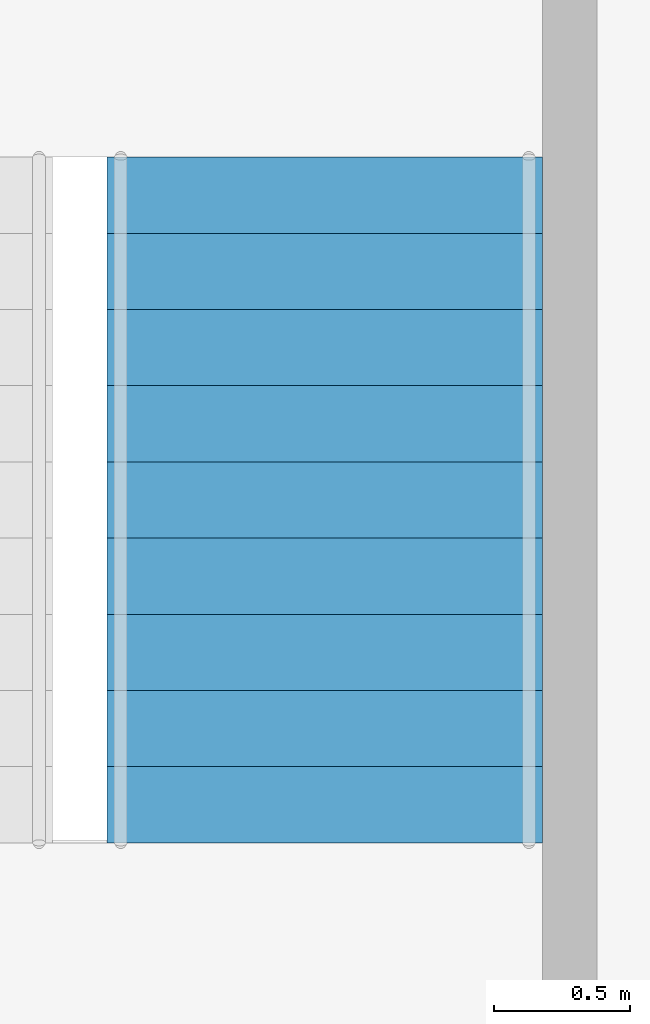
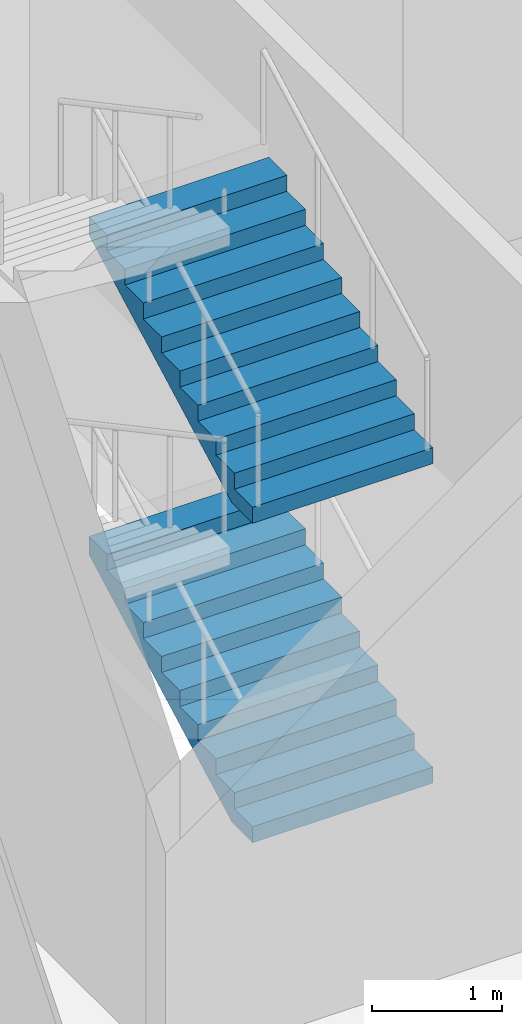
# One storey, part 79 of 100: 2 stair flights, 1 element without a shape of its own.
"""IFC4 building model written with IfcOpenShell, lengths in metres."""

from ifc_helpers import new_model, si_unit, direction, frame, origin, place, context, subcontext, project, spatial, triangles, material, type_object, element, aggregate, save


model = new_model("IFC4")

# Units and contexts
model_context = context("Model", 3, precision=1e-05, world=origin(), true_north=direction((0.0, 1.0)))
body_context = subcontext(model_context, "Body", "Model", "MODEL_VIEW")
ifc_project = project(units=[si_unit("LENGTHUNIT", "METRE"), si_unit("AREAUNIT", "SQUARE_METRE"), si_unit("VOLUMEUNIT", "CUBIC_METRE"), si_unit("PLANEANGLEUNIT", "RADIAN"), si_unit("MASSUNIT", "GRAM", prefix="KILO")], contexts=[model_context])

# Site, building, storey
site_placement = place(None, origin())
site = spatial("IfcSite", under=ifc_project, at=site_placement, CompositionType="ELEMENT")
building_placement = place(site_placement, origin())
building = spatial("IfcBuilding", under=site, at=building_placement, Name="Hakoniwa Tower and Hamabe Station Hall", CompositionType="ELEMENT")
storey_placement = place(building_placement, frame((0.0, 0.0, 9.0)))
storey = spatial("IfcBuildingStorey", under=building, at=storey_placement, Name="L02", CompositionType="ELEMENT", Elevation=9.0)

# Stair, stair flights
ifc_material_1 = material(Name="Concrete C40", Category="concrete")
stair_type = type_object("IfcStairType", Name="STAIR 1600 10X150", PredefinedType="HALF_TURN_STAIR", material=ifc_material_1)
stair_placement = place(storey_placement, origin())
stair = element("IfcStair", 1, at=stair_placement, inside=storey, type_object=stair_type, Name="Escape stair SS1 L02", PredefinedType="HALF_TURN_STAIR")
ifc_material_2 = material(Name="Concrete C40", Category="concrete")
stair_flight_type = type_object("IfcStairFlightType", Name="STAIR FLIGHT 1600", PredefinedType="STRAIGHT", material=ifc_material_2)
stair_flight_1_placement = place(storey_placement, frame((89.25, 16.89990234375, 0.0), z_axis=(0.0, 0.0, 1.0), x_axis=(0.0, 1.0, 0.0)))
stair_flight_1 = element("IfcStairFlight", 2, at=stair_flight_1_placement, type_object=stair_flight_type, Name="SS1 flight 1", NumberOfRisers=10, NumberOfTreads=9, PredefinedType="STRAIGHT", RiserHeight=0.15, TreadLength=0.28, context=body_context, shape_type="Tessellation", body=[
    triangles([(0.0, 0.800048828125, 0.0), (0.280029296875, 0.800048828125, 0.0), (0.3173828125, 0.800048828125, 0.0), (0.56005859375, 0.800048828125, 0.1298828125), (0.840087890625, 0.800048828125, 0.280029296875), (1.1201171875, 0.800048828125, 0.429931640625), (1.39990234375, 0.800048828125, 0.579833984375), (1.679931640625, 0.800048828125, 0.72998046875), (1.9599609375, 0.800048828125, 0.8798828125), (2.239990234375, 0.800048828125, 1.030029296875), (2.52001953125, 0.800048828125, 1.179931640625), (2.52001953125, 0.800048828125, 1.35009765625), (2.239990234375, 0.800048828125, 1.35009765625), (2.239990234375, 0.800048828125, 1.199951171875), (1.9599609375, 0.800048828125, 1.199951171875), (1.9599609375, 0.800048828125, 1.050048828125), (1.679931640625, 0.800048828125, 1.050048828125), (1.679931640625, 0.800048828125, 0.89990234375), (1.39990234375, 0.800048828125, 0.89990234375), (1.39990234375, 0.800048828125, 0.75), (1.1201171875, 0.800048828125, 0.75), (1.1201171875, 0.800048828125, 0.60009765625), (0.840087890625, 0.800048828125, 0.60009765625), (0.840087890625, 0.800048828125, 0.449951171875), (0.56005859375, 0.800048828125, 0.449951171875), (0.56005859375, 0.800048828125, 0.300048828125), (0.3173828125, 0.800048828125, 0.300048828125), (0.280029296875, 0.800048828125, 0.300048828125), (0.280029296875, 0.800048828125, 0.14990234375), (0.0, 0.800048828125, 0.14990234375), (0.0, 0.06005859375, 0.0), (0.280029296875, 0.06005859375, 0.0), (0.3173828125, 0.06005859375, 0.0), (0.56005859375, 0.06005859375, 0.1298828125), (0.840087890625, 0.06005859375, 0.280029296875), (1.1201171875, 0.06005859375, 0.429931640625), (1.39990234375, 0.06005859375, 0.579833984375), (1.679931640625, 0.06005859375, 0.72998046875), (1.9599609375, 0.06005859375, 0.8798828125), (2.239990234375, 0.06005859375, 1.030029296875), (2.52001953125, 0.06005859375, 1.179931640625), (2.52001953125, 0.06005859375, 1.35009765625), (2.239990234375, 0.06005859375, 1.35009765625), (2.239990234375, 0.06005859375, 1.199951171875), (1.9599609375, 0.06005859375, 1.199951171875), (1.9599609375, 0.06005859375, 1.050048828125), (1.679931640625, 0.06005859375, 1.050048828125), (1.679931640625, 0.06005859375, 0.89990234375), (1.39990234375, 0.06005859375, 0.89990234375), (1.39990234375, 0.06005859375, 0.75), (1.1201171875, 0.06005859375, 0.75), (1.1201171875, 0.06005859375, 0.60009765625), (0.840087890625, 0.06005859375, 0.60009765625), (0.840087890625, 0.06005859375, 0.449951171875), (0.56005859375, 0.06005859375, 0.449951171875), (0.56005859375, 0.06005859375, 0.300048828125), (0.3173828125, 0.06005859375, 0.300048828125), (0.280029296875, 0.06005859375, 0.300048828125), (0.280029296875, 0.06005859375, 0.14990234375), (0.0, 0.06005859375, 0.14990234375), (0.0, 0.02001953125, 0.0), (0.280029296875, 0.02001953125, 0.0), (0.3173828125, 0.02001953125, 0.0), (0.56005859375, 0.02001953125, 0.1298828125), (0.840087890625, 0.02001953125, 0.280029296875), (1.1201171875, 0.02001953125, 0.429931640625), (1.39990234375, 0.02001953125, 0.579833984375), (1.679931640625, 0.02001953125, 0.72998046875), (1.9599609375, 0.02001953125, 0.8798828125), (2.239990234375, 0.02001953125, 1.030029296875), (2.52001953125, 0.02001953125, 1.179931640625), (2.52001953125, 0.02001953125, 1.35009765625), (2.239990234375, 0.02001953125, 1.35009765625), (2.239990234375, 0.02001953125, 1.199951171875), (1.9599609375, 0.02001953125, 1.199951171875), (1.9599609375, 0.02001953125, 1.050048828125), (1.679931640625, 0.02001953125, 1.050048828125), (1.679931640625, 0.02001953125, 0.89990234375), (1.39990234375, 0.02001953125, 0.89990234375), (1.39990234375, 0.02001953125, 0.75), (1.1201171875, 0.02001953125, 0.75), (1.1201171875, 0.02001953125, 0.60009765625), (0.840087890625, 0.02001953125, 0.60009765625), (0.840087890625, 0.02001953125, 0.449951171875), (0.56005859375, 0.02001953125, 0.449951171875), (0.56005859375, 0.02001953125, 0.300048828125), (0.3173828125, 0.02001953125, 0.300048828125), (0.280029296875, 0.02001953125, 0.300048828125), (0.280029296875, 0.02001953125, 0.14990234375), (0.0, 0.02001953125, 0.14990234375), (0.0, -0.02001953125, 0.0), (0.280029296875, -0.02001953125, 0.0), (0.3173828125, -0.02001953125, 0.0), (0.56005859375, -0.02001953125, 0.1298828125), (0.840087890625, -0.02001953125, 0.280029296875), (1.1201171875, -0.02001953125, 0.429931640625), (1.39990234375, -0.02001953125, 0.579833984375), (1.679931640625, -0.02001953125, 0.72998046875), (1.9599609375, -0.02001953125, 0.8798828125), (2.239990234375, -0.02001953125, 1.030029296875), (2.52001953125, -0.02001953125, 1.179931640625), (2.52001953125, -0.02001953125, 1.35009765625), (2.239990234375, -0.02001953125, 1.35009765625), (2.239990234375, -0.02001953125, 1.199951171875), (1.9599609375, -0.02001953125, 1.199951171875), (1.9599609375, -0.02001953125, 1.050048828125), (1.679931640625, -0.02001953125, 1.050048828125), (1.679931640625, -0.02001953125, 0.89990234375), (1.39990234375, -0.02001953125, 0.89990234375), (1.39990234375, -0.02001953125, 0.75), (1.1201171875, -0.02001953125, 0.75), (1.1201171875, -0.02001953125, 0.60009765625), (0.840087890625, -0.02001953125, 0.60009765625), (0.840087890625, -0.02001953125, 0.449951171875), (0.56005859375, -0.02001953125, 0.449951171875), (0.56005859375, -0.02001953125, 0.300048828125), (0.3173828125, -0.02001953125, 0.300048828125), (0.280029296875, -0.02001953125, 0.300048828125), (0.280029296875, -0.02001953125, 0.14990234375), (0.0, -0.02001953125, 0.14990234375), (0.0, -0.06005859375, 0.0), (0.280029296875, -0.06005859375, 0.0), (0.3173828125, -0.06005859375, 0.0), (0.56005859375, -0.06005859375, 0.1298828125), (0.840087890625, -0.06005859375, 0.280029296875), (1.1201171875, -0.06005859375, 0.429931640625), (1.39990234375, -0.06005859375, 0.579833984375), (1.679931640625, -0.06005859375, 0.72998046875), (1.9599609375, -0.06005859375, 0.8798828125), (2.239990234375, -0.06005859375, 1.030029296875), (2.52001953125, -0.06005859375, 1.179931640625), (2.52001953125, -0.06005859375, 1.35009765625), (2.239990234375, -0.06005859375, 1.35009765625), (2.239990234375, -0.06005859375, 1.199951171875), (1.9599609375, -0.06005859375, 1.199951171875), (1.9599609375, -0.06005859375, 1.050048828125), (1.679931640625, -0.06005859375, 1.050048828125), (1.679931640625, -0.06005859375, 0.89990234375), (1.39990234375, -0.06005859375, 0.89990234375), (1.39990234375, -0.06005859375, 0.75), (1.1201171875, -0.06005859375, 0.75), (1.1201171875, -0.06005859375, 0.60009765625), (0.840087890625, -0.06005859375, 0.60009765625), (0.840087890625, -0.06005859375, 0.449951171875), (0.56005859375, -0.06005859375, 0.449951171875), (0.56005859375, -0.06005859375, 0.300048828125), (0.3173828125, -0.06005859375, 0.300048828125), (0.280029296875, -0.06005859375, 0.300048828125), (0.280029296875, -0.06005859375, 0.14990234375), (0.0, -0.06005859375, 0.14990234375), (0.0, -0.800048828125, 0.0), (0.280029296875, -0.800048828125, 0.0), (0.3173828125, -0.800048828125, 0.0), (0.56005859375, -0.800048828125, 0.1298828125), (0.840087890625, -0.800048828125, 0.280029296875), (1.1201171875, -0.800048828125, 0.429931640625), (1.39990234375, -0.800048828125, 0.579833984375), (1.679931640625, -0.800048828125, 0.72998046875), (1.9599609375, -0.800048828125, 0.8798828125), (2.239990234375, -0.800048828125, 1.030029296875), (2.52001953125, -0.800048828125, 1.179931640625), (2.52001953125, -0.800048828125, 1.35009765625), (2.239990234375, -0.800048828125, 1.35009765625), (2.239990234375, -0.800048828125, 1.199951171875), (1.9599609375, -0.800048828125, 1.199951171875), (1.9599609375, -0.800048828125, 1.050048828125), (1.679931640625, -0.800048828125, 1.050048828125), (1.679931640625, -0.800048828125, 0.89990234375), (1.39990234375, -0.800048828125, 0.89990234375), (1.39990234375, -0.800048828125, 0.75), (1.1201171875, -0.800048828125, 0.75), (1.1201171875, -0.800048828125, 0.60009765625), (0.840087890625, -0.800048828125, 0.60009765625), (0.840087890625, -0.800048828125, 0.449951171875), (0.56005859375, -0.800048828125, 0.449951171875), (0.56005859375, -0.800048828125, 0.300048828125), (0.3173828125, -0.800048828125, 0.300048828125), (0.280029296875, -0.800048828125, 0.300048828125), (0.280029296875, -0.800048828125, 0.14990234375), (0.0, -0.800048828125, 0.14990234375)], [[2, 30, 29], [152, 179, 180], [2, 1, 30], [152, 180, 151], [3, 28, 27], [153, 177, 178], [3, 29, 28], [153, 178, 179], [3, 2, 29], [153, 179, 152], [4, 27, 26], [154, 176, 177], [4, 3, 27], [154, 177, 153], [5, 25, 24], [155, 174, 175], [5, 26, 25], [155, 175, 176], [5, 4, 26], [155, 176, 154], [6, 23, 22], [156, 172, 173], [6, 24, 23], [156, 173, 174], [6, 5, 24], [156, 174, 155], [7, 21, 20], [157, 170, 171], [7, 22, 21], [157, 171, 172], [7, 6, 22], [157, 172, 156], [8, 19, 18], [158, 168, 169], [8, 20, 19], [158, 169, 170], [8, 7, 20], [158, 170, 157], [9, 17, 16], [159, 166, 167], [9, 18, 17], [159, 167, 168], [9, 8, 18], [159, 168, 158], [10, 15, 14], [160, 164, 165], [10, 16, 15], [160, 165, 166], [10, 9, 16], [160, 166, 159], [11, 13, 12], [161, 162, 163], [11, 14, 13], [161, 163, 164], [11, 10, 14], [161, 164, 160], [1, 2, 32], [1, 32, 31], [31, 32, 62], [31, 62, 61], [61, 62, 92], [61, 92, 91], [91, 92, 122], [91, 122, 121], [121, 122, 152], [121, 152, 151], [2, 3, 33], [2, 33, 32], [32, 33, 63], [32, 63, 62], [62, 63, 93], [62, 93, 92], [92, 93, 123], [92, 123, 122], [122, 123, 153], [122, 153, 152], [3, 4, 34], [3, 34, 33], [33, 34, 64], [33, 64, 63], [63, 64, 94], [63, 94, 93], [93, 94, 124], [93, 124, 123], [123, 124, 154], [123, 154, 153], [4, 5, 35], [4, 35, 34], [34, 35, 65], [34, 65, 64], [64, 65, 95], [64, 95, 94], [94, 95, 125], [94, 125, 124], [124, 125, 155], [124, 155, 154], [5, 6, 36], [5, 36, 35], [35, 36, 66], [35, 66, 65], [65, 66, 96], [65, 96, 95], [95, 96, 126], [95, 126, 125], [125, 126, 156], [125, 156, 155], [6, 7, 37], [6, 37, 36], [36, 37, 67], [36, 67, 66], [66, 67, 97], [66, 97, 96], [96, 97, 127], [96, 127, 126], [126, 127, 157], [126, 157, 156], [7, 8, 38], [7, 38, 37], [37, 38, 68], [37, 68, 67], [67, 68, 98], [67, 98, 97], [97, 98, 128], [97, 128, 127], [127, 128, 158], [127, 158, 157], [8, 9, 39], [8, 39, 38], [38, 39, 69], [38, 69, 68], [68, 69, 99], [68, 99, 98], [98, 99, 129], [98, 129, 128], [128, 129, 159], [128, 159, 158], [9, 10, 40], [9, 40, 39], [39, 40, 70], [39, 70, 69], [69, 70, 100], [69, 100, 99], [99, 100, 130], [99, 130, 129], [129, 130, 160], [129, 160, 159], [10, 11, 41], [10, 41, 40], [40, 41, 71], [40, 71, 70], [70, 71, 101], [70, 101, 100], [100, 101, 131], [100, 131, 130], [130, 131, 161], [130, 161, 160], [11, 12, 42], [11, 42, 41], [41, 42, 72], [41, 72, 71], [71, 72, 102], [71, 102, 101], [101, 102, 132], [101, 132, 131], [131, 132, 162], [131, 162, 161], [12, 13, 43], [12, 43, 42], [42, 43, 73], [42, 73, 72], [72, 73, 103], [72, 103, 102], [102, 103, 133], [102, 133, 132], [132, 133, 163], [132, 163, 162], [13, 14, 44], [13, 44, 43], [43, 44, 74], [43, 74, 73], [73, 74, 104], [73, 104, 103], [103, 104, 134], [103, 134, 133], [133, 134, 164], [133, 164, 163], [14, 15, 45], [14, 45, 44], [44, 45, 75], [44, 75, 74], [74, 75, 105], [74, 105, 104], [104, 105, 135], [104, 135, 134], [134, 135, 165], [134, 165, 164], [15, 16, 46], [15, 46, 45], [45, 46, 76], [45, 76, 75], [75, 76, 106], [75, 106, 105], [105, 106, 136], [105, 136, 135], [135, 136, 166], [135, 166, 165], [16, 17, 47], [16, 47, 46], [46, 47, 77], [46, 77, 76], [76, 77, 107], [76, 107, 106], [106, 107, 137], [106, 137, 136], [136, 137, 167], [136, 167, 166], [17, 18, 48], [17, 48, 47], [47, 48, 78], [47, 78, 77], [77, 78, 108], [77, 108, 107], [107, 108, 138], [107, 138, 137], [137, 138, 168], [137, 168, 167], [18, 19, 49], [18, 49, 48], [48, 49, 79], [48, 79, 78], [78, 79, 109], [78, 109, 108], [108, 109, 139], [108, 139, 138], [138, 139, 169], [138, 169, 168], [19, 20, 50], [19, 50, 49], [49, 50, 80], [49, 80, 79], [79, 80, 110], [79, 110, 109], [109, 110, 140], [109, 140, 139], [139, 140, 170], [139, 170, 169], [20, 21, 51], [20, 51, 50], [50, 51, 81], [50, 81, 80], [80, 81, 111], [80, 111, 110], [110, 111, 141], [110, 141, 140], [140, 141, 171], [140, 171, 170], [21, 22, 52], [21, 52, 51], [51, 52, 82], [51, 82, 81], [81, 82, 112], [81, 112, 111], [111, 112, 142], [111, 142, 141], [141, 142, 172], [141, 172, 171], [22, 23, 53], [22, 53, 52], [52, 53, 83], [52, 83, 82], [82, 83, 113], [82, 113, 112], [112, 113, 143], [112, 143, 142], [142, 143, 173], [142, 173, 172], [23, 24, 54], [23, 54, 53], [53, 54, 84], [53, 84, 83], [83, 84, 114], [83, 114, 113], [113, 114, 144], [113, 144, 143], [143, 144, 174], [143, 174, 173], [24, 25, 55], [24, 55, 54], [54, 55, 85], [54, 85, 84], [84, 85, 115], [84, 115, 114], [114, 115, 145], [114, 145, 144], [144, 145, 175], [144, 175, 174], [25, 26, 56], [25, 56, 55], [55, 56, 86], [55, 86, 85], [85, 86, 116], [85, 116, 115], [115, 116, 146], [115, 146, 145], [145, 146, 176], [145, 176, 175], [26, 27, 57], [26, 57, 56], [56, 57, 87], [56, 87, 86], [86, 87, 117], [86, 117, 116], [116, 117, 147], [116, 147, 146], [146, 147, 177], [146, 177, 176], [27, 28, 58], [27, 58, 57], [57, 58, 88], [57, 88, 87], [87, 88, 118], [87, 118, 117], [117, 118, 148], [117, 148, 147], [147, 148, 178], [147, 178, 177], [28, 29, 59], [28, 59, 58], [58, 59, 89], [58, 89, 88], [88, 89, 119], [88, 119, 118], [118, 119, 149], [118, 149, 148], [148, 149, 179], [148, 179, 178], [29, 30, 60], [29, 60, 59], [59, 60, 90], [59, 90, 89], [89, 90, 120], [89, 120, 119], [119, 120, 150], [119, 150, 149], [149, 150, 180], [149, 180, 179], [30, 1, 31], [30, 31, 60], [60, 31, 61], [60, 61, 90], [90, 61, 91], [90, 91, 120], [120, 91, 121], [120, 121, 150], [150, 121, 151], [150, 151, 180]], closed=True),
])
stair_flight_2_placement = place(storey_placement, frame((89.25, 16.89990234375, 3.0), z_axis=(0.0, 0.0, 1.0), x_axis=(0.0, 1.0, 0.0)))
stair_flight_2 = element("IfcStairFlight", 3, at=stair_flight_2_placement, type_object=stair_flight_type, Name="SS1 flight 3", NumberOfRisers=10, NumberOfTreads=9, PredefinedType="STRAIGHT", RiserHeight=0.15, TreadLength=0.28, context=body_context, shape_type="Tessellation", body=[
    triangles([(0.0, 0.800048828125, 0.0), (0.280029296875, 0.800048828125, 0.0), (0.3173828125, 0.800048828125, 0.0), (0.56005859375, 0.800048828125, 0.1298828125), (0.840087890625, 0.800048828125, 0.280029296875), (1.1201171875, 0.800048828125, 0.429931640625), (1.39990234375, 0.800048828125, 0.579833984375), (1.679931640625, 0.800048828125, 0.72998046875), (1.9599609375, 0.800048828125, 0.8798828125), (2.239990234375, 0.800048828125, 1.030029296875), (2.52001953125, 0.800048828125, 1.179931640625), (2.52001953125, 0.800048828125, 1.35009765625), (2.239990234375, 0.800048828125, 1.35009765625), (2.239990234375, 0.800048828125, 1.199951171875), (1.9599609375, 0.800048828125, 1.199951171875), (1.9599609375, 0.800048828125, 1.050048828125), (1.679931640625, 0.800048828125, 1.050048828125), (1.679931640625, 0.800048828125, 0.89990234375), (1.39990234375, 0.800048828125, 0.89990234375), (1.39990234375, 0.800048828125, 0.75), (1.1201171875, 0.800048828125, 0.75), (1.1201171875, 0.800048828125, 0.60009765625), (0.840087890625, 0.800048828125, 0.60009765625), (0.840087890625, 0.800048828125, 0.449951171875), (0.56005859375, 0.800048828125, 0.449951171875), (0.56005859375, 0.800048828125, 0.300048828125), (0.3173828125, 0.800048828125, 0.300048828125), (0.280029296875, 0.800048828125, 0.300048828125), (0.280029296875, 0.800048828125, 0.14990234375), (0.0, 0.800048828125, 0.14990234375), (0.0, 0.06005859375, 0.0), (0.280029296875, 0.06005859375, 0.0), (0.3173828125, 0.06005859375, 0.0), (0.56005859375, 0.06005859375, 0.1298828125), (0.840087890625, 0.06005859375, 0.280029296875), (1.1201171875, 0.06005859375, 0.429931640625), (1.39990234375, 0.06005859375, 0.579833984375), (1.679931640625, 0.06005859375, 0.72998046875), (1.9599609375, 0.06005859375, 0.8798828125), (2.239990234375, 0.06005859375, 1.030029296875), (2.52001953125, 0.06005859375, 1.179931640625), (2.52001953125, 0.06005859375, 1.35009765625), (2.239990234375, 0.06005859375, 1.35009765625), (2.239990234375, 0.06005859375, 1.199951171875), (1.9599609375, 0.06005859375, 1.199951171875), (1.9599609375, 0.06005859375, 1.050048828125), (1.679931640625, 0.06005859375, 1.050048828125), (1.679931640625, 0.06005859375, 0.89990234375), (1.39990234375, 0.06005859375, 0.89990234375), (1.39990234375, 0.06005859375, 0.75), (1.1201171875, 0.06005859375, 0.75), (1.1201171875, 0.06005859375, 0.60009765625), (0.840087890625, 0.06005859375, 0.60009765625), (0.840087890625, 0.06005859375, 0.449951171875), (0.56005859375, 0.06005859375, 0.449951171875), (0.56005859375, 0.06005859375, 0.300048828125), (0.3173828125, 0.06005859375, 0.300048828125), (0.280029296875, 0.06005859375, 0.300048828125), (0.280029296875, 0.06005859375, 0.14990234375), (0.0, 0.06005859375, 0.14990234375), (0.0, 0.02001953125, 0.0), (0.280029296875, 0.02001953125, 0.0), (0.3173828125, 0.02001953125, 0.0), (0.56005859375, 0.02001953125, 0.1298828125), (0.840087890625, 0.02001953125, 0.280029296875), (1.1201171875, 0.02001953125, 0.429931640625), (1.39990234375, 0.02001953125, 0.579833984375), (1.679931640625, 0.02001953125, 0.72998046875), (1.9599609375, 0.02001953125, 0.8798828125), (2.239990234375, 0.02001953125, 1.030029296875), (2.52001953125, 0.02001953125, 1.179931640625), (2.52001953125, 0.02001953125, 1.35009765625), (2.239990234375, 0.02001953125, 1.35009765625), (2.239990234375, 0.02001953125, 1.199951171875), (1.9599609375, 0.02001953125, 1.199951171875), (1.9599609375, 0.02001953125, 1.050048828125), (1.679931640625, 0.02001953125, 1.050048828125), (1.679931640625, 0.02001953125, 0.89990234375), (1.39990234375, 0.02001953125, 0.89990234375), (1.39990234375, 0.02001953125, 0.75), (1.1201171875, 0.02001953125, 0.75), (1.1201171875, 0.02001953125, 0.60009765625), (0.840087890625, 0.02001953125, 0.60009765625), (0.840087890625, 0.02001953125, 0.449951171875), (0.56005859375, 0.02001953125, 0.449951171875), (0.56005859375, 0.02001953125, 0.300048828125), (0.3173828125, 0.02001953125, 0.300048828125), (0.280029296875, 0.02001953125, 0.300048828125), (0.280029296875, 0.02001953125, 0.14990234375), (0.0, 0.02001953125, 0.14990234375), (0.0, -0.02001953125, 0.0), (0.280029296875, -0.02001953125, 0.0), (0.3173828125, -0.02001953125, 0.0), (0.56005859375, -0.02001953125, 0.1298828125), (0.840087890625, -0.02001953125, 0.280029296875), (1.1201171875, -0.02001953125, 0.429931640625), (1.39990234375, -0.02001953125, 0.579833984375), (1.679931640625, -0.02001953125, 0.72998046875), (1.9599609375, -0.02001953125, 0.8798828125), (2.239990234375, -0.02001953125, 1.030029296875), (2.52001953125, -0.02001953125, 1.179931640625), (2.52001953125, -0.02001953125, 1.35009765625), (2.239990234375, -0.02001953125, 1.35009765625), (2.239990234375, -0.02001953125, 1.199951171875), (1.9599609375, -0.02001953125, 1.199951171875), (1.9599609375, -0.02001953125, 1.050048828125), (1.679931640625, -0.02001953125, 1.050048828125), (1.679931640625, -0.02001953125, 0.89990234375), (1.39990234375, -0.02001953125, 0.89990234375), (1.39990234375, -0.02001953125, 0.75), (1.1201171875, -0.02001953125, 0.75), (1.1201171875, -0.02001953125, 0.60009765625), (0.840087890625, -0.02001953125, 0.60009765625), (0.840087890625, -0.02001953125, 0.449951171875), (0.56005859375, -0.02001953125, 0.449951171875), (0.56005859375, -0.02001953125, 0.300048828125), (0.3173828125, -0.02001953125, 0.300048828125), (0.280029296875, -0.02001953125, 0.300048828125), (0.280029296875, -0.02001953125, 0.14990234375), (0.0, -0.02001953125, 0.14990234375), (0.0, -0.06005859375, 0.0), (0.280029296875, -0.06005859375, 0.0), (0.3173828125, -0.06005859375, 0.0), (0.56005859375, -0.06005859375, 0.1298828125), (0.840087890625, -0.06005859375, 0.280029296875), (1.1201171875, -0.06005859375, 0.429931640625), (1.39990234375, -0.06005859375, 0.579833984375), (1.679931640625, -0.06005859375, 0.72998046875), (1.9599609375, -0.06005859375, 0.8798828125), (2.239990234375, -0.06005859375, 1.030029296875), (2.52001953125, -0.06005859375, 1.179931640625), (2.52001953125, -0.06005859375, 1.35009765625), (2.239990234375, -0.06005859375, 1.35009765625), (2.239990234375, -0.06005859375, 1.199951171875), (1.9599609375, -0.06005859375, 1.199951171875), (1.9599609375, -0.06005859375, 1.050048828125), (1.679931640625, -0.06005859375, 1.050048828125), (1.679931640625, -0.06005859375, 0.89990234375), (1.39990234375, -0.06005859375, 0.89990234375), (1.39990234375, -0.06005859375, 0.75), (1.1201171875, -0.06005859375, 0.75), (1.1201171875, -0.06005859375, 0.60009765625), (0.840087890625, -0.06005859375, 0.60009765625), (0.840087890625, -0.06005859375, 0.449951171875), (0.56005859375, -0.06005859375, 0.449951171875), (0.56005859375, -0.06005859375, 0.300048828125), (0.3173828125, -0.06005859375, 0.300048828125), (0.280029296875, -0.06005859375, 0.300048828125), (0.280029296875, -0.06005859375, 0.14990234375), (0.0, -0.06005859375, 0.14990234375), (0.0, -0.800048828125, 0.0), (0.280029296875, -0.800048828125, 0.0), (0.3173828125, -0.800048828125, 0.0), (0.56005859375, -0.800048828125, 0.1298828125), (0.840087890625, -0.800048828125, 0.280029296875), (1.1201171875, -0.800048828125, 0.429931640625), (1.39990234375, -0.800048828125, 0.579833984375), (1.679931640625, -0.800048828125, 0.72998046875), (1.9599609375, -0.800048828125, 0.8798828125), (2.239990234375, -0.800048828125, 1.030029296875), (2.52001953125, -0.800048828125, 1.179931640625), (2.52001953125, -0.800048828125, 1.35009765625), (2.239990234375, -0.800048828125, 1.35009765625), (2.239990234375, -0.800048828125, 1.199951171875), (1.9599609375, -0.800048828125, 1.199951171875), (1.9599609375, -0.800048828125, 1.050048828125), (1.679931640625, -0.800048828125, 1.050048828125), (1.679931640625, -0.800048828125, 0.89990234375), (1.39990234375, -0.800048828125, 0.89990234375), (1.39990234375, -0.800048828125, 0.75), (1.1201171875, -0.800048828125, 0.75), (1.1201171875, -0.800048828125, 0.60009765625), (0.840087890625, -0.800048828125, 0.60009765625), (0.840087890625, -0.800048828125, 0.449951171875), (0.56005859375, -0.800048828125, 0.449951171875), (0.56005859375, -0.800048828125, 0.300048828125), (0.3173828125, -0.800048828125, 0.300048828125), (0.280029296875, -0.800048828125, 0.300048828125), (0.280029296875, -0.800048828125, 0.14990234375), (0.0, -0.800048828125, 0.14990234375)], [[2, 30, 29], [152, 179, 180], [2, 1, 30], [152, 180, 151], [3, 28, 27], [153, 177, 178], [3, 29, 28], [153, 178, 179], [3, 2, 29], [153, 179, 152], [4, 27, 26], [154, 176, 177], [4, 3, 27], [154, 177, 153], [5, 25, 24], [155, 174, 175], [5, 26, 25], [155, 175, 176], [5, 4, 26], [155, 176, 154], [6, 23, 22], [156, 172, 173], [6, 24, 23], [156, 173, 174], [6, 5, 24], [156, 174, 155], [7, 21, 20], [157, 170, 171], [7, 22, 21], [157, 171, 172], [7, 6, 22], [157, 172, 156], [8, 19, 18], [158, 168, 169], [8, 20, 19], [158, 169, 170], [8, 7, 20], [158, 170, 157], [9, 17, 16], [159, 166, 167], [9, 18, 17], [159, 167, 168], [9, 8, 18], [159, 168, 158], [10, 15, 14], [160, 164, 165], [10, 16, 15], [160, 165, 166], [10, 9, 16], [160, 166, 159], [11, 13, 12], [161, 162, 163], [11, 14, 13], [161, 163, 164], [11, 10, 14], [161, 164, 160], [1, 2, 32], [1, 32, 31], [31, 32, 62], [31, 62, 61], [61, 62, 92], [61, 92, 91], [91, 92, 122], [91, 122, 121], [121, 122, 152], [121, 152, 151], [2, 3, 33], [2, 33, 32], [32, 33, 63], [32, 63, 62], [62, 63, 93], [62, 93, 92], [92, 93, 123], [92, 123, 122], [122, 123, 153], [122, 153, 152], [3, 4, 34], [3, 34, 33], [33, 34, 64], [33, 64, 63], [63, 64, 94], [63, 94, 93], [93, 94, 124], [93, 124, 123], [123, 124, 154], [123, 154, 153], [4, 5, 35], [4, 35, 34], [34, 35, 65], [34, 65, 64], [64, 65, 95], [64, 95, 94], [94, 95, 125], [94, 125, 124], [124, 125, 155], [124, 155, 154], [5, 6, 36], [5, 36, 35], [35, 36, 66], [35, 66, 65], [65, 66, 96], [65, 96, 95], [95, 96, 126], [95, 126, 125], [125, 126, 156], [125, 156, 155], [6, 7, 37], [6, 37, 36], [36, 37, 67], [36, 67, 66], [66, 67, 97], [66, 97, 96], [96, 97, 127], [96, 127, 126], [126, 127, 157], [126, 157, 156], [7, 8, 38], [7, 38, 37], [37, 38, 68], [37, 68, 67], [67, 68, 98], [67, 98, 97], [97, 98, 128], [97, 128, 127], [127, 128, 158], [127, 158, 157], [8, 9, 39], [8, 39, 38], [38, 39, 69], [38, 69, 68], [68, 69, 99], [68, 99, 98], [98, 99, 129], [98, 129, 128], [128, 129, 159], [128, 159, 158], [9, 10, 40], [9, 40, 39], [39, 40, 70], [39, 70, 69], [69, 70, 100], [69, 100, 99], [99, 100, 130], [99, 130, 129], [129, 130, 160], [129, 160, 159], [10, 11, 41], [10, 41, 40], [40, 41, 71], [40, 71, 70], [70, 71, 101], [70, 101, 100], [100, 101, 131], [100, 131, 130], [130, 131, 161], [130, 161, 160], [11, 12, 42], [11, 42, 41], [41, 42, 72], [41, 72, 71], [71, 72, 102], [71, 102, 101], [101, 102, 132], [101, 132, 131], [131, 132, 162], [131, 162, 161], [12, 13, 43], [12, 43, 42], [42, 43, 73], [42, 73, 72], [72, 73, 103], [72, 103, 102], [102, 103, 133], [102, 133, 132], [132, 133, 163], [132, 163, 162], [13, 14, 44], [13, 44, 43], [43, 44, 74], [43, 74, 73], [73, 74, 104], [73, 104, 103], [103, 104, 134], [103, 134, 133], [133, 134, 164], [133, 164, 163], [14, 15, 45], [14, 45, 44], [44, 45, 75], [44, 75, 74], [74, 75, 105], [74, 105, 104], [104, 105, 135], [104, 135, 134], [134, 135, 165], [134, 165, 164], [15, 16, 46], [15, 46, 45], [45, 46, 76], [45, 76, 75], [75, 76, 106], [75, 106, 105], [105, 106, 136], [105, 136, 135], [135, 136, 166], [135, 166, 165], [16, 17, 47], [16, 47, 46], [46, 47, 77], [46, 77, 76], [76, 77, 107], [76, 107, 106], [106, 107, 137], [106, 137, 136], [136, 137, 167], [136, 167, 166], [17, 18, 48], [17, 48, 47], [47, 48, 78], [47, 78, 77], [77, 78, 108], [77, 108, 107], [107, 108, 138], [107, 138, 137], [137, 138, 168], [137, 168, 167], [18, 19, 49], [18, 49, 48], [48, 49, 79], [48, 79, 78], [78, 79, 109], [78, 109, 108], [108, 109, 139], [108, 139, 138], [138, 139, 169], [138, 169, 168], [19, 20, 50], [19, 50, 49], [49, 50, 80], [49, 80, 79], [79, 80, 110], [79, 110, 109], [109, 110, 140], [109, 140, 139], [139, 140, 170], [139, 170, 169], [20, 21, 51], [20, 51, 50], [50, 51, 81], [50, 81, 80], [80, 81, 111], [80, 111, 110], [110, 111, 141], [110, 141, 140], [140, 141, 171], [140, 171, 170], [21, 22, 52], [21, 52, 51], [51, 52, 82], [51, 82, 81], [81, 82, 112], [81, 112, 111], [111, 112, 142], [111, 142, 141], [141, 142, 172], [141, 172, 171], [22, 23, 53], [22, 53, 52], [52, 53, 83], [52, 83, 82], [82, 83, 113], [82, 113, 112], [112, 113, 143], [112, 143, 142], [142, 143, 173], [142, 173, 172], [23, 24, 54], [23, 54, 53], [53, 54, 84], [53, 84, 83], [83, 84, 114], [83, 114, 113], [113, 114, 144], [113, 144, 143], [143, 144, 174], [143, 174, 173], [24, 25, 55], [24, 55, 54], [54, 55, 85], [54, 85, 84], [84, 85, 115], [84, 115, 114], [114, 115, 145], [114, 145, 144], [144, 145, 175], [144, 175, 174], [25, 26, 56], [25, 56, 55], [55, 56, 86], [55, 86, 85], [85, 86, 116], [85, 116, 115], [115, 116, 146], [115, 146, 145], [145, 146, 176], [145, 176, 175], [26, 27, 57], [26, 57, 56], [56, 57, 87], [56, 87, 86], [86, 87, 117], [86, 117, 116], [116, 117, 147], [116, 147, 146], [146, 147, 177], [146, 177, 176], [27, 28, 58], [27, 58, 57], [57, 58, 88], [57, 88, 87], [87, 88, 118], [87, 118, 117], [117, 118, 148], [117, 148, 147], [147, 148, 178], [147, 178, 177], [28, 29, 59], [28, 59, 58], [58, 59, 89], [58, 89, 88], [88, 89, 119], [88, 119, 118], [118, 119, 149], [118, 149, 148], [148, 149, 179], [148, 179, 178], [29, 30, 60], [29, 60, 59], [59, 60, 90], [59, 90, 89], [89, 90, 120], [89, 120, 119], [119, 120, 150], [119, 150, 149], [149, 150, 180], [149, 180, 179], [30, 1, 31], [30, 31, 60], [60, 31, 61], [60, 61, 90], [90, 61, 91], [90, 91, 120], [120, 91, 121], [120, 121, 150], [150, 121, 151], [150, 151, 180]], closed=True),
])
aggregate(stair, [stair_flight_1, stair_flight_2])

save(model, "model.ifc")
